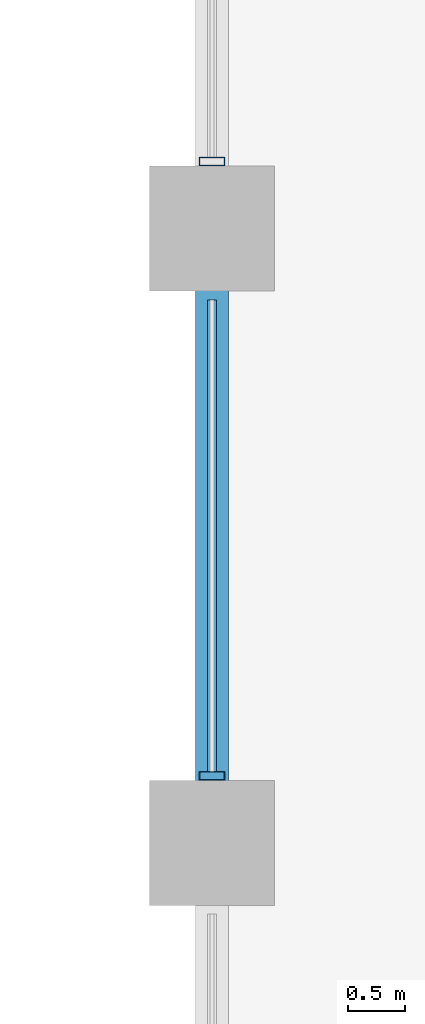
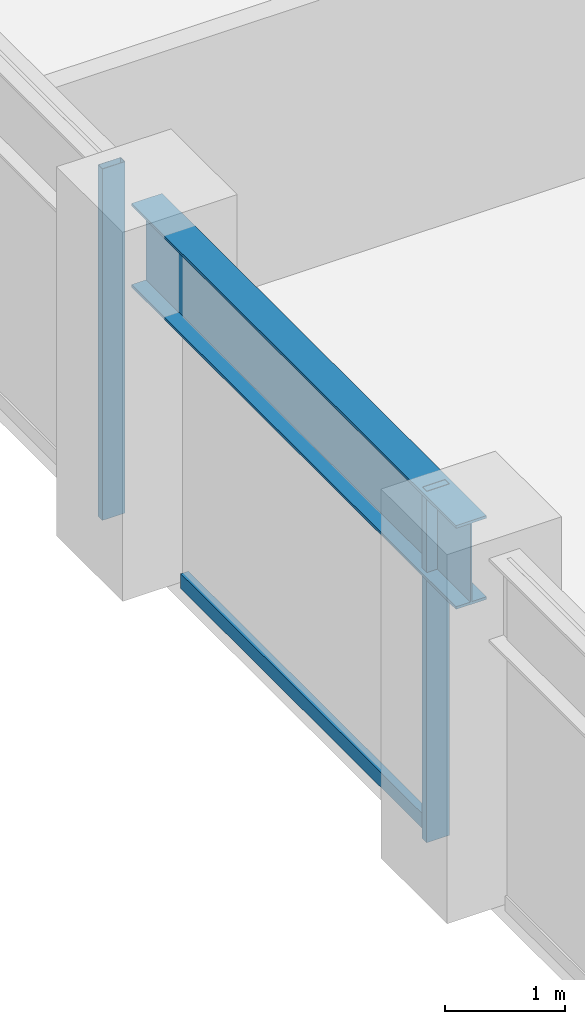
# One storey, part 7 of 29: 3 members, 1 beam, 1 element without a shape of its own.
"""IFC4 building model written with IfcOpenShell, lengths in metres."""

from ifc_helpers import new_model, si_unit, direction, frame, origin, origin_2d, place, context, subcontext, project, spatial, hollow_rectangle, i_section, extrude, material, layer, layer_set, material_profile, profile_set, type_object, element, aggregate, save


model = new_model("IFC4")

# Units and contexts
model_context = context("Model", 3, precision=1e-05, world=origin(), true_north=direction((0.0, 1.0)))
body_context = subcontext(model_context, "Body", "Model", "MODEL_VIEW")
ifc_project = project(units=[si_unit("LENGTHUNIT", "METRE"), si_unit("AREAUNIT", "SQUARE_METRE"), si_unit("VOLUMEUNIT", "CUBIC_METRE"), si_unit("PLANEANGLEUNIT", "RADIAN"), si_unit("MASSUNIT", "GRAM", prefix="KILO")], contexts=[model_context])

# Site, building, storey
site_placement = place(None, origin())
site = spatial("IfcSite", under=ifc_project, at=site_placement, CompositionType="ELEMENT")
building_placement = place(site_placement, origin())
building = spatial("IfcBuilding", under=site, at=building_placement, Name="Surkhivell Harbour Commons", CompositionType="ELEMENT")
storey_placement = place(building_placement, frame((0.0, 0.0, 87.0)))
storey = spatial("IfcBuildingStorey", under=building, at=storey_placement, Name="L22", CompositionType="ELEMENT", Elevation=87.0)

# Beam
ifc_material_1 = material(Name="Steel S460", Category="steel")
ifc_material_profile_1 = material_profile(ifc_material_1, i_section(OverallWidth=0.2939453125, OverallDepth=0.85107421875, WebThickness=0.01611328125, FlangeThickness=0.02685546875, at=origin_2d()), Name="UB838x292x226")
ifc_profile_set_1 = profile_set([ifc_material_profile_1], Name="Steel S460")
beam_type = type_object("IfcBeamType", Name="BM-SPN-838", PredefinedType="SPANDREL", material=ifc_profile_set_1)
beam_placement = place(storey_placement, frame((-32.39990234375, 0.0, 3.14453125), z_axis=(0.0, 1.0, 0.0), x_axis=(-1.0, 0.0, 0.0)))
element("IfcBeam", 1, at=beam_placement, inside=storey, type_object=beam_type, Name="L22 Tube Spandrel (-32.4,0.0)", PredefinedType="SPANDREL", context=body_context, shape_type="SweptSolid", body=[
    extrude(i_section(OverallWidth=0.2939453125, OverallDepth=0.85107421875, WebThickness=0.01611328125, FlangeThickness=0.02685546875, at=origin_2d()), origin(), (0.0, 0.0, 1.0), 5.39990234375),
])

# Curtain wall, members
ifc_material_2 = material(Name="Anodised pale-metal aluminium and insulated glazing", Category="aluminium")
ifc_layer = layer(ifc_material_2, 0.205078125)
ifc_layer_set = layer_set([ifc_layer], Name="Anodised pale-metal aluminium and insulated glazing")
curtain_wall_type = type_object("IfcCurtainWallType", Name="CW-SYS-Z2", PredefinedType="NOTDEFINED", material=ifc_layer_set)
curtain_wall_placement = place(storey_placement, origin())
curtain_wall = element("IfcCurtainWall", 2, at=curtain_wall_placement, inside=storey, type_object=curtain_wall_type, Name="L22 Curtain Wall CW-L22-E12R2", PredefinedType="NOTDEFINED")
ifc_material_3 = material(Name="Anodised pale-metal aluminium alloy 6063-T6", Category="aluminium")
ifc_material_profile_2 = material_profile(ifc_material_3, hollow_rectangle(XDim=0.074951171875, YDim=0.219970703125, WallThickness=0.00390625, at=origin_2d()), Name="ALU-MULL-75x220")
ifc_profile_set_2 = profile_set([ifc_material_profile_2], Name="Anodised pale-metal aluminium alloy 6063-T6")
member_type_1 = type_object("IfcMemberType", Name="CWM-220", PredefinedType="MULLION", material=ifc_profile_set_2)
member_1_placement = place(storey_placement, frame((-32.39990234375, 0.589599609375, 0.0), z_axis=(0.0, 0.0, 1.0), x_axis=(0.0, 1.0, 0.0)))
member_1 = element("IfcMember", 3, at=member_1_placement, type_object=member_type_1, Name="CW-Z2 mullion 2", PredefinedType="MULLION", context=body_context, shape_type="SweptSolid", body=[
    extrude(hollow_rectangle(XDim=0.074951171875, YDim=0.219970703125, WallThickness=0.00390625, at=origin_2d()), origin(), (0.0, 0.0, 1.0), 3.570068359375),
])
member_2_placement = place(storey_placement, frame((-32.39990234375, 5.989501953125, 0.0), z_axis=(0.0, 0.0, 1.0), x_axis=(0.0, 1.0, 0.0)))
member_2 = element("IfcMember", 4, at=member_2_placement, type_object=member_type_1, Name="CW-Z2 mullion 3", PredefinedType="MULLION", context=body_context, shape_type="SweptSolid", body=[
    extrude(hollow_rectangle(XDim=0.074951171875, YDim=0.219970703125, WallThickness=0.00390625, at=origin_2d()), origin(), (0.0, 0.0, 1.0), 3.570068359375),
])
ifc_material_profile_3 = material_profile(ifc_material_3, hollow_rectangle(XDim=0.074951171875, YDim=0.14990234375, WallThickness=0.00341796875, at=origin_2d()), Name="ALU-TRAN-75x150")
ifc_profile_set_3 = profile_set([ifc_material_profile_3], Name="Anodised pale-metal aluminium alloy 6063-T6")
member_type_2 = type_object("IfcMemberType", Name="CWT-150", PredefinedType="USERDEFINED", material=ifc_profile_set_3)
member_3_placement = place(storey_placement, frame((-32.39990234375, 0.626953125, 0.074951171875), z_axis=(0.0, 1.0, 0.0), x_axis=(-1.0, 0.0, 0.0)))
member_3 = element("IfcMember", 5, at=member_3_placement, type_object=member_type_2, Name="CW-Z2 transom 2.1", ObjectType="TRANSOM", PredefinedType="USERDEFINED", context=body_context, shape_type="SweptSolid", body=[
    extrude(hollow_rectangle(XDim=0.074951171875, YDim=0.14990234375, WallThickness=0.00341796875, at=origin_2d()), origin(), (0.0, 0.0, 1.0), 4.14599609375),
])
aggregate(curtain_wall, [member_1, member_3, member_2])

save(model, "model.ifc")
